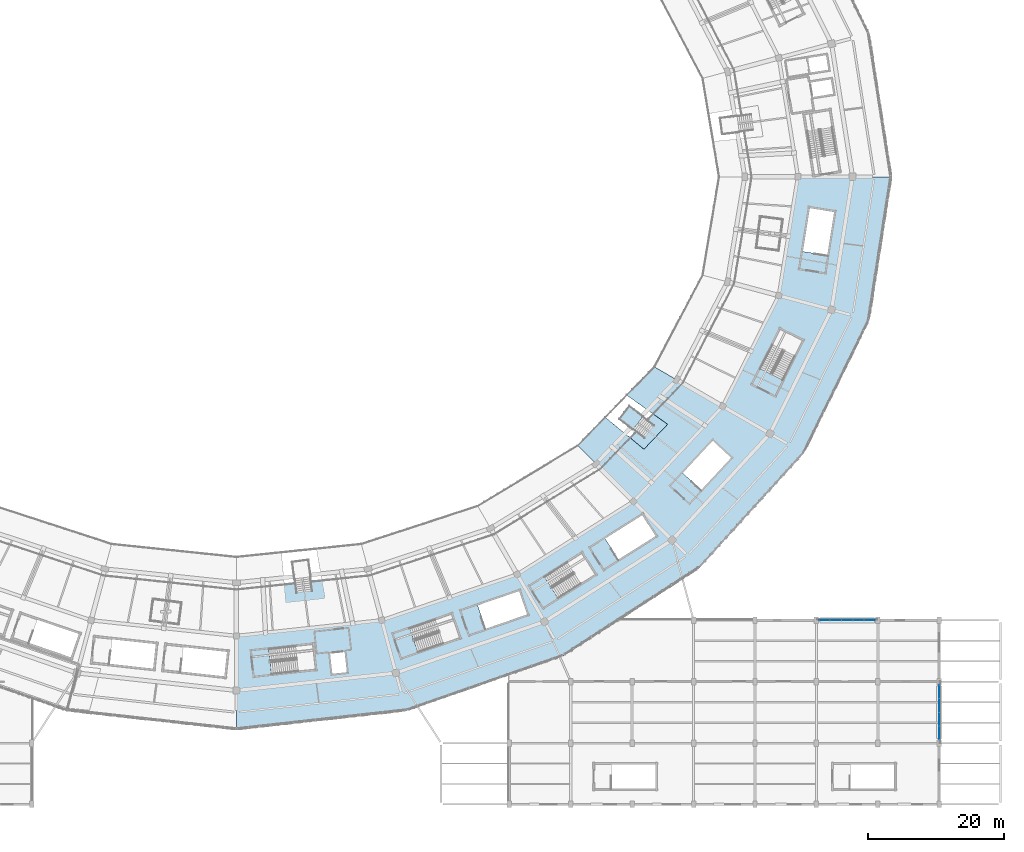
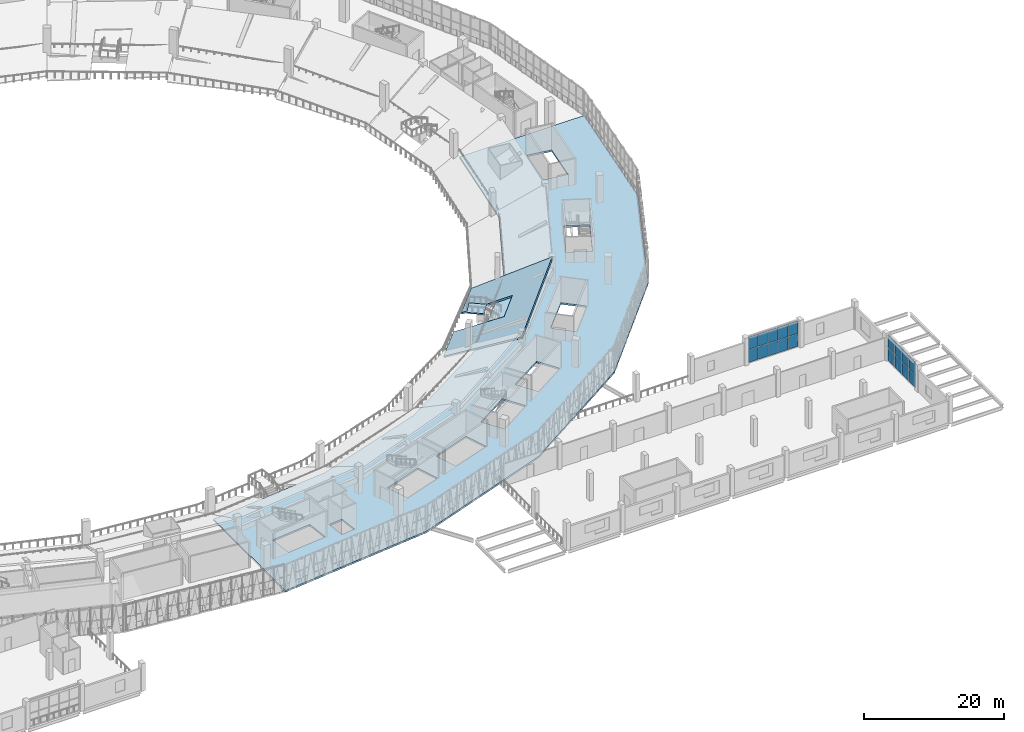
# One storey, part 79 of 152: 18 plates, 3 slabs, 3 elements without a shape of their own.
"""IFC4 building model written with IfcOpenShell, lengths in metres."""

from ifc_helpers import new_model, si_unit, direction, frame, origin, origin_2d, place, context, subcontext, project, spatial, polyline, rectangle, outline, extrude, material, layer, layer_set, type_object, element, aggregate, save


model = new_model("IFC4")

# Units and contexts
model_context = context("Model", 3, precision=1e-05, world=origin(), true_north=direction((0.0, 1.0)))
body_context = subcontext(model_context, "Body", "Model", "MODEL_VIEW")
ifc_project = project(units=[si_unit("LENGTHUNIT", "METRE"), si_unit("AREAUNIT", "SQUARE_METRE"), si_unit("VOLUMEUNIT", "CUBIC_METRE"), si_unit("PLANEANGLEUNIT", "RADIAN"), si_unit("MASSUNIT", "GRAM", prefix="KILO")], contexts=[model_context])

# Site, building, storey
site_placement = place(None, origin())
site = spatial("IfcSite", under=ifc_project, at=site_placement, CompositionType="ELEMENT")
building_placement = place(site_placement, origin())
building = spatial("IfcBuilding", under=site, at=building_placement, Name="Zevraka Park Crest Stadium", CompositionType="ELEMENT")
storey_placement = place(building_placement, frame((0.0, 0.0, 15.0)))
storey = spatial("IfcBuildingStorey", under=building, at=storey_placement, Name="L03", CompositionType="ELEMENT", Elevation=15.0)

# Curtain wall, plates
ifc_material_1 = material(Name="Anodised architectural aluminium and laminated safety glass", Category="aluminium")
curtain_wall_type = type_object("IfcCurtainWallType", Name="CW30", PredefinedType="NOTDEFINED", material=ifc_material_1)
curtain_wall_1_placement = place(storey_placement, origin())
curtain_wall_1 = element("IfcCurtainWall", 1, at=curtain_wall_1_placement, inside=storey, type_object=curtain_wall_type, Name="Wing Curtain Wall CW30 L03-SE-E3-2", PredefinedType="NOTDEFINED")
ifc_material_2 = material(Name="Solar-control laminated double glazing", Category="glass")
ifc_layer_1 = layer(ifc_material_2, 0.035888671875)
ifc_layer_set_1 = layer_set([ifc_layer_1], Name="Solar-control laminated double glazing")
plate_type = type_object("IfcPlateType", Name="CP30", PredefinedType="CURTAIN_PANEL", material=ifc_layer_set_1)
plate_1_placement = place(storey_placement, frame((215.0, 16.5087890625, 0.06982421875), z_axis=(0.0, 0.0, 1.0), x_axis=(0.0, -1.0, 0.0)))
plate_1 = element("IfcPlate", 2, at=plate_1_placement, type_object=plate_type, Name="CW30 panel 1.1", PredefinedType="CURTAIN_PANEL", context=body_context, shape_type="SweptSolid", body=[
    extrude(rectangle(XDim=1.91259765625, YDim=0.035888671875, at=origin_2d()), origin(), (0.0, 0.0, 1.0), 2.195068359375),
])
plate_2_placement = place(storey_placement, frame((215.0, 16.5087890625, 2.3349609375), z_axis=(0.0, 0.0, 1.0), x_axis=(0.0, -1.0, 0.0)))
plate_2 = element("IfcPlate", 3, at=plate_2_placement, type_object=plate_type, Name="CW30 panel 1.2", PredefinedType="CURTAIN_PANEL", context=body_context, shape_type="SweptSolid", body=[
    extrude(rectangle(XDim=1.91259765625, YDim=0.035888671875, at=origin_2d()), origin(), (0.0, 0.0, 1.0), 2.135009765625),
])
plate_3_placement = place(storey_placement, frame((215.0, 14.5087890625, 0.06982421875), z_axis=(0.0, 0.0, 1.0), x_axis=(0.0, -1.0, 0.0)))
plate_3 = element("IfcPlate", 4, at=plate_3_placement, type_object=plate_type, Name="CW30 panel 2.1", PredefinedType="CURTAIN_PANEL", context=body_context, shape_type="SweptSolid", body=[
    extrude(rectangle(XDim=1.947509765625, YDim=0.035888671875, at=origin_2d()), origin(), (0.0, 0.0, 1.0), 2.195068359375),
])
plate_4_placement = place(storey_placement, frame((215.0, 14.5087890625, 2.3349609375), z_axis=(0.0, 0.0, 1.0), x_axis=(0.0, -1.0, 0.0)))
plate_4 = element("IfcPlate", 5, at=plate_4_placement, type_object=plate_type, Name="CW30 panel 2.2", PredefinedType="CURTAIN_PANEL", context=body_context, shape_type="SweptSolid", body=[
    extrude(rectangle(XDim=1.947509765625, YDim=0.035888671875, at=origin_2d()), origin(), (0.0, 0.0, 1.0), 2.135009765625),
])
plate_5_placement = place(storey_placement, frame((215.0, 12.4912109375, 0.06982421875), z_axis=(0.0, 0.0, 1.0), x_axis=(0.0, -1.0, 0.0)))
plate_5 = element("IfcPlate", 6, at=plate_5_placement, type_object=plate_type, Name="CW30 panel 3.1", PredefinedType="CURTAIN_PANEL", context=body_context, shape_type="SweptSolid", body=[
    extrude(rectangle(XDim=1.947509765625, YDim=0.035888671875, at=origin_2d()), origin(), (0.0, 0.0, 1.0), 2.195068359375),
])
plate_6_placement = place(storey_placement, frame((215.0, 12.4912109375, 2.3349609375), z_axis=(0.0, 0.0, 1.0), x_axis=(0.0, -1.0, 0.0)))
plate_6 = element("IfcPlate", 7, at=plate_6_placement, type_object=plate_type, Name="CW30 panel 3.2", PredefinedType="CURTAIN_PANEL", context=body_context, shape_type="SweptSolid", body=[
    extrude(rectangle(XDim=1.947509765625, YDim=0.035888671875, at=origin_2d()), origin(), (0.0, 0.0, 1.0), 2.135009765625),
])
plate_7_placement = place(storey_placement, frame((215.0, 10.4912109375, 0.06982421875), z_axis=(0.0, 0.0, 1.0), x_axis=(0.0, -1.0, 0.0)))
plate_7 = element("IfcPlate", 8, at=plate_7_placement, type_object=plate_type, Name="CW30 panel 4.1", PredefinedType="CURTAIN_PANEL", context=body_context, shape_type="SweptSolid", body=[
    extrude(rectangle(XDim=1.91259765625, YDim=0.035888671875, at=origin_2d()), origin(), (0.0, 0.0, 1.0), 2.195068359375),
])
plate_8_placement = place(storey_placement, frame((215.0, 10.4912109375, 2.3349609375), z_axis=(0.0, 0.0, 1.0), x_axis=(0.0, -1.0, 0.0)))
plate_8 = element("IfcPlate", 9, at=plate_8_placement, type_object=plate_type, Name="CW30 panel 4.2", PredefinedType="CURTAIN_PANEL", context=body_context, shape_type="SweptSolid", body=[
    extrude(rectangle(XDim=1.91259765625, YDim=0.035888671875, at=origin_2d()), origin(), (0.0, 0.0, 1.0), 2.135009765625),
])
aggregate(curtain_wall_1, [plate_1, plate_2, plate_3, plate_4, plate_5, plate_6, plate_7, plate_8])

curtain_wall_2_placement = place(storey_placement, origin())
curtain_wall_2 = element("IfcCurtainWall", 10, at=curtain_wall_2_placement, inside=storey, type_object=curtain_wall_type, Name="Wing Curtain Wall CW30 L03-SE-N3-2", PredefinedType="NOTDEFINED")
plate_9_placement = place(storey_placement, frame((198.16943359375, 27.0, 0.06982421875), z_axis=(0.0, 0.0, 1.0), x_axis=(1.0, 0.0, 0.0)))
plate_9 = element("IfcPlate", 11, at=plate_9_placement, type_object=plate_type, Name="CW30 panel 1.1", PredefinedType="CURTAIN_PANEL", context=body_context, shape_type="SweptSolid", body=[
    extrude(rectangle(XDim=1.569091796875, YDim=0.035888671875, at=origin_2d()), origin(), (0.0, 0.0, 1.0), 2.195068359375),
])
plate_10_placement = place(storey_placement, frame((198.16943359375, 27.0, 2.3349609375), z_axis=(0.0, 0.0, 1.0), x_axis=(1.0, 0.0, 0.0)))
plate_10 = element("IfcPlate", 12, at=plate_10_placement, type_object=plate_type, Name="CW30 panel 1.2", PredefinedType="CURTAIN_PANEL", context=body_context, shape_type="SweptSolid", body=[
    extrude(rectangle(XDim=1.569091796875, YDim=0.035888671875, at=origin_2d()), origin(), (0.0, 0.0, 1.0), 2.135009765625),
])
plate_11_placement = place(storey_placement, frame((199.825927734375, 27.0, 0.06982421875), z_axis=(0.0, 0.0, 1.0), x_axis=(1.0, 0.0, 0.0)))
plate_11 = element("IfcPlate", 13, at=plate_11_placement, type_object=plate_type, Name="CW30 panel 2.1", PredefinedType="CURTAIN_PANEL", context=body_context, shape_type="SweptSolid", body=[
    extrude(rectangle(XDim=1.60400390625, YDim=0.035888671875, at=origin_2d()), origin(), (0.0, 0.0, 1.0), 2.195068359375),
])
plate_12_placement = place(storey_placement, frame((199.825927734375, 27.0, 2.3349609375), z_axis=(0.0, 0.0, 1.0), x_axis=(1.0, 0.0, 0.0)))
plate_12 = element("IfcPlate", 14, at=plate_12_placement, type_object=plate_type, Name="CW30 panel 2.2", PredefinedType="CURTAIN_PANEL", context=body_context, shape_type="SweptSolid", body=[
    extrude(rectangle(XDim=1.60400390625, YDim=0.035888671875, at=origin_2d()), origin(), (0.0, 0.0, 1.0), 2.135009765625),
])
plate_13_placement = place(storey_placement, frame((201.5, 27.0, 0.06982421875), z_axis=(0.0, 0.0, 1.0), x_axis=(1.0, 0.0, 0.0)))
plate_13 = element("IfcPlate", 15, at=plate_13_placement, type_object=plate_type, Name="CW30 panel 3.1", PredefinedType="CURTAIN_PANEL", context=body_context, shape_type="SweptSolid", body=[
    extrude(rectangle(XDim=1.60400390625, YDim=0.035888671875, at=origin_2d()), origin(), (0.0, 0.0, 1.0), 2.195068359375),
])
plate_14_placement = place(storey_placement, frame((201.5, 27.0, 2.3349609375), z_axis=(0.0, 0.0, 1.0), x_axis=(1.0, 0.0, 0.0)))
plate_14 = element("IfcPlate", 16, at=plate_14_placement, type_object=plate_type, Name="CW30 panel 3.2", PredefinedType="CURTAIN_PANEL", context=body_context, shape_type="SweptSolid", body=[
    extrude(rectangle(XDim=1.60400390625, YDim=0.035888671875, at=origin_2d()), origin(), (0.0, 0.0, 1.0), 2.135009765625),
])
plate_15_placement = place(storey_placement, frame((203.174072265625, 27.0, 0.06982421875), z_axis=(0.0, 0.0, 1.0), x_axis=(1.0, 0.0, 0.0)))
plate_15 = element("IfcPlate", 17, at=plate_15_placement, type_object=plate_type, Name="CW30 panel 4.1", PredefinedType="CURTAIN_PANEL", context=body_context, shape_type="SweptSolid", body=[
    extrude(rectangle(XDim=1.60400390625, YDim=0.035888671875, at=origin_2d()), origin(), (0.0, 0.0, 1.0), 2.195068359375),
])
plate_16_placement = place(storey_placement, frame((203.174072265625, 27.0, 2.3349609375), z_axis=(0.0, 0.0, 1.0), x_axis=(1.0, 0.0, 0.0)))
plate_16 = element("IfcPlate", 18, at=plate_16_placement, type_object=plate_type, Name="CW30 panel 4.2", PredefinedType="CURTAIN_PANEL", context=body_context, shape_type="SweptSolid", body=[
    extrude(rectangle(XDim=1.60400390625, YDim=0.035888671875, at=origin_2d()), origin(), (0.0, 0.0, 1.0), 2.135009765625),
])
plate_17_placement = place(storey_placement, frame((204.83056640625, 27.0, 0.06982421875), z_axis=(0.0, 0.0, 1.0), x_axis=(1.0, 0.0, 0.0)))
plate_17 = element("IfcPlate", 19, at=plate_17_placement, type_object=plate_type, Name="CW30 panel 5.1", PredefinedType="CURTAIN_PANEL", context=body_context, shape_type="SweptSolid", body=[
    extrude(rectangle(XDim=1.569091796875, YDim=0.035888671875, at=origin_2d()), origin(), (0.0, 0.0, 1.0), 2.195068359375),
])
plate_18_placement = place(storey_placement, frame((204.83056640625, 27.0, 2.3349609375), z_axis=(0.0, 0.0, 1.0), x_axis=(1.0, 0.0, 0.0)))
plate_18 = element("IfcPlate", 20, at=plate_18_placement, type_object=plate_type, Name="CW30 panel 5.2", PredefinedType="CURTAIN_PANEL", context=body_context, shape_type="SweptSolid", body=[
    extrude(rectangle(XDim=1.569091796875, YDim=0.035888671875, at=origin_2d()), origin(), (0.0, 0.0, 1.0), 2.135009765625),
])
aggregate(curtain_wall_2, [plate_9, plate_10, plate_11, plate_12, plate_13, plate_14, plate_15, plate_16, plate_17, plate_18])

# Slab
ifc_material_3 = material(Name="Concrete C35/45", Category="concrete")
ifc_layer_2 = layer(ifc_material_3, 0.300048828125)
ifc_layer_set_2 = layer_set([ifc_layer_2], Name="Concrete C35/45")
slab_type_1 = type_object("IfcSlabType", Name="FS01", PredefinedType="FLOOR", material=ifc_layer_set_2)
slab_1_placement = place(storey_placement, frame((0.0, 0.0, -0.300048828125)))
element("IfcSlab", 21, at=slab_1_placement, inside=storey, type_object=slab_type_1, Name="Bowl Concourse Ring Slab L03 Q4-SE-1", PredefinedType="FLOOR", context=body_context, shape_type="SweptSolid", body=[
    extrude(outline(polyline([(131.528076171875, 33.610107421875), (149.72509765625, 39.64892578125), (165.35107421875, 49.2548828125), (177.342041015625, 61.77490234375), (184.87890625, 76.35400390625), (187.449951171875, 92.0), (208.0, 92.0), (204.72900390625, 71.035888671875), (195.137939453125, 51.5), (179.882080078125, 34.72412109375), (160.0, 21.85205078125), (136.846923828125, 13.760009765625), (112.0, 11.0), (112.0, 31.550048828125), (131.528076171875, 33.610107421875)]), holes=[polyline([(127.885009765625, 22.343994140625), (125.697998046875, 22.10498046875), (126.02294921875, 19.1220703125), (128.2099609375, 19.361083984375), (127.885009765625, 22.343994140625)]), polyline([(123.22705078125, 23.512939453125), (116.7451171875, 22.80810546875), (117.152099609375, 19.070068359375), (123.634033203125, 19.77490234375), (123.22705078125, 23.512939453125)]), polyline([(143.56201171875, 27.9599609375), (137.39306640625, 25.847900390625), (138.612060546875, 22.291015625), (144.780029296875, 24.403076171875), (143.56201171875, 27.9599609375)]), polyline([(153.49609375, 31.361083984375), (147.326904296875, 29.2490234375), (148.5458984375, 25.69189453125), (154.714111328125, 27.803955078125), (153.49609375, 31.361083984375)]), polyline([(162.64794921875, 36.881103515625), (157.14306640625, 33.387939453125), (159.156982421875, 30.212890625), (164.6630859375, 33.7060546875), (162.64794921875, 36.881103515625)]), polyline([(171.513916015625, 42.506103515625), (166.009033203125, 39.012939453125), (168.02294921875, 35.837890625), (173.529052734375, 39.3310546875), (171.513916015625, 42.506103515625)]), polyline([(181.81689453125, 53.381103515625), (177.382080078125, 48.60205078125), (180.137939453125, 46.0439453125), (184.572998046875, 50.822998046875), (181.81689453125, 53.381103515625)]), polyline([(195.031005859375, 68.037109375), (191.6689453125, 69.721923828125), (188.748046875, 63.89208984375), (192.110107421875, 62.2080078125), (195.031005859375, 68.037109375)]), polyline([(199.69189453125, 86.906982421875), (195.97900390625, 87.4990234375), (194.9541015625, 81.06005859375), (198.6669921875, 80.468994140625), (199.69189453125, 86.906982421875)])]), origin(), (0.0, 0.0, 1.0), 0.300048828125),
])

# Stair, slab
ifc_material_4 = material(Name="Concrete C35/45", Category="concrete")
stair_type = type_object("IfcStairType", Name="VST1", PredefinedType="STRAIGHT_RUN_STAIR", material=ifc_material_4)
stair_placement = place(storey_placement, origin())
stair = element("IfcStair", 22, at=stair_placement, inside=storey, type_object=stair_type, Name="Vomitory Stair VS-16", PredefinedType="STRAIGHT_RUN_STAIR")
ifc_material_5 = material(Name="Concrete C35/45", Category="concrete")
ifc_layer_3 = layer(ifc_material_5, 0.179931640625)
ifc_layer_set_3 = layer_set([ifc_layer_3], Name="Concrete C35/45")
slab_type_2 = type_object("IfcSlabType", Name="LS02", PredefinedType="LANDING", material=ifc_layer_set_3)
slab_2_placement = place(storey_placement, frame((0.0, 0.0, 1.02001953125)))
slab_2 = element("IfcSlab", 23, at=slab_2_placement, type_object=slab_type_2, Name="VST1 landing 1", PredefinedType="LANDING", context=body_context, shape_type="SweptSolid", body=[
    extrude(outline(polyline([(171.5869140625, 56.843017578125), (169.583984375, 58.3798828125), (168.123046875, 56.47607421875), (170.1259765625, 54.93896484375), (171.5869140625, 56.843017578125)])), origin(), (0.0, 0.0, 1.0), 0.179931640625),
])
aggregate(stair, [slab_2])

# Slab
ifc_material_6 = material(Name="Concrete C35/45", Category="concrete")
ifc_layer_4 = layer(ifc_material_6, 0.27001953125)
ifc_layer_set_4 = layer_set([ifc_layer_4], Name="Concrete C35/45")
slab_type_3 = type_object("IfcSlabType", Name="STU1", PredefinedType="USERDEFINED", material=ifc_layer_set_4)
slab_3_placement = place(storey_placement, frame((162.028076171875, 52.5791015625, -1.953857421875), z_axis=(-0.34328722083, 0.263409767464, 0.901537119823), x_axis=(0.696453604016, 0.715400022966, 0.056171029848)))
element("IfcSlab", 24, at=slab_3_placement, inside=storey, type_object=slab_type_3, Name="Upper Tier Cantilevered Raked Seating Slab 21", ObjectType="SEATING TIER", PredefinedType="USERDEFINED", context=body_context, shape_type="SweptSolid", body=[
    extrude(outline(polyline([(0.0, 0.0), (5.8107011225850576, 5.551115123125783e-16), (6.598123318854519, -8.095844050350983), (11.653541121028875, -8.027480503985576), (10.330394261593865, -0.0022642888604069433), (16.141095384178918, -0.0022642888604063605), (19.285027792487867, -12.401088221853069), (0.15398599053151368, -12.789951430831746), (0.0, 0.0)])), origin(), (0.0, 0.0, -1.0), 0.27001953125),
])

save(model, "model.ifc")
